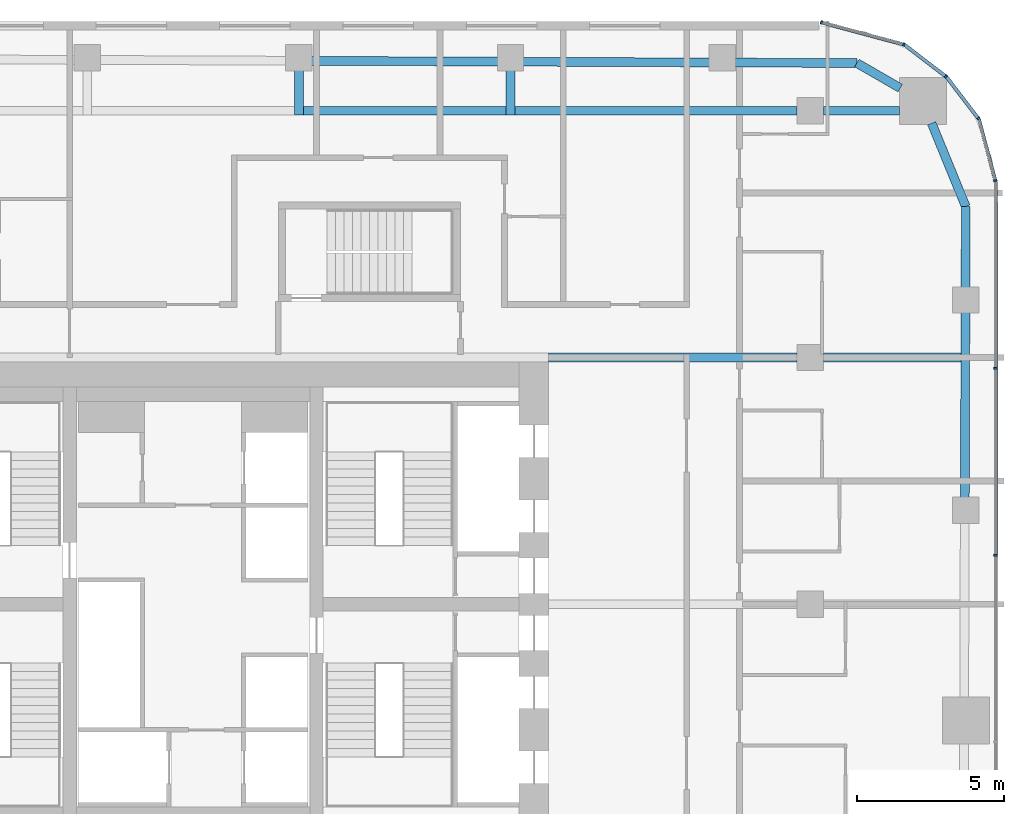
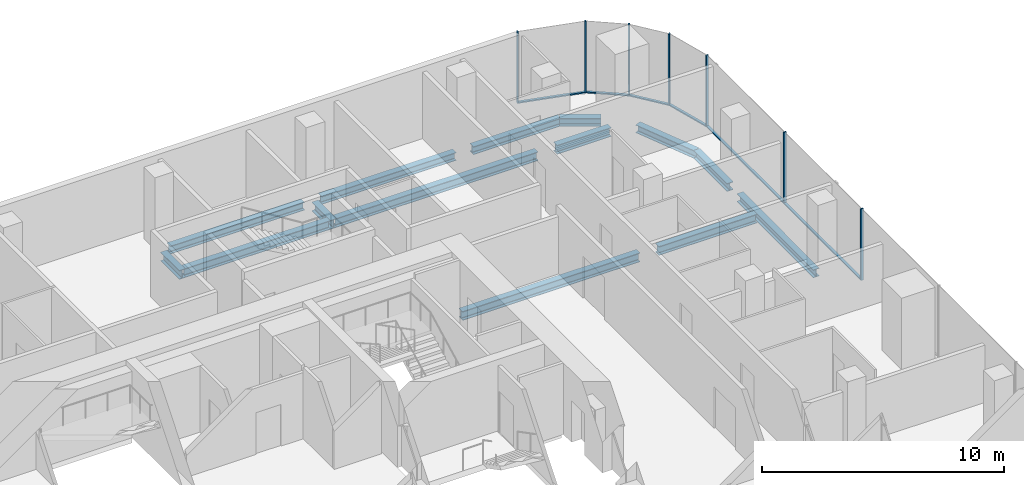
# One storey, part 11 of 23: 14 beams, 13 members, 5 elements without a shape of their own.
"""IFC4 building model written with IfcOpenShell, lengths in metres."""

import ifcopenshell
import ifcopenshell.guid

model = None  # the IFC model being written
_history = None  # IfcOwnerHistory: only IFC2X3 demands one
_inside = {}  # id of a spatial element -> (the spatial element, [elements in it])
_under = {}  # id of a project, library or spatial element -> (it, [spatial elements below it])
_declared = {}  # id of a project -> (the project, [libraries it declares])
_typed = {}  # id of a type object -> (the type object, [elements of that type])
_made_of = {}  # id of a material, layer set ... -> (it, [elements and type objects made of it])


def new_model(schema):
    """Start an empty IFC model of exactly this schema.

    Asked for "IFC4X3", IfcOpenShell would pick the latest addendum, in which some entities
    have other attributes; the version numbers below select the first issue.
    IFC2X3 requires an IfcOwnerHistory on every rooted entity: one is made here for all.
    """
    global model, _history
    if schema == "IFC4X3":
        model = ifcopenshell.file(schema_version=(4, 3, 0, 0))
    else:
        model = ifcopenshell.file(schema=schema)
    _inside.clear()
    _under.clear()
    _declared.clear()
    _typed.clear()
    _made_of.clear()
    _history = None
    if model.schema == "IFC2X3":
        org = make("IfcOrganization", Name="unknown")
        user = make(
            "IfcPersonAndOrganization",
            ThePerson=make("IfcPerson", FamilyName="unknown"),
            TheOrganization=org,
        )
        app = make(
            "IfcApplication",
            ApplicationDeveloper=org,
            Version="unknown",
            ApplicationFullName="unknown",
            ApplicationIdentifier="unknown",
        )
        _history = make(
            "IfcOwnerHistory",
            OwningUser=user,
            OwningApplication=app,
            ChangeAction="ADDED",
            CreationDate=0,
        )
    return model


def make(cls, **values):
    """One entity of the class cls with the attributes given. An attribute that is None is left unset."""
    return model.create_entity(
        cls, **{name: value for name, value in values.items() if value is not None}
    )


def rooted(cls, **values):
    """An entity with a GlobalId (a new one), such as an element, a storey or a relation."""
    return make(cls, GlobalId=ifcopenshell.guid.new(), OwnerHistory=_history, **values)


def si_unit(unit_type, name, prefix=None):
    """IfcSIUnit, for example si_unit("LENGTHUNIT", "METRE", prefix="MILLI")."""
    return make("IfcSIUnit", UnitType=unit_type, Prefix=prefix, Name=name)


def assignment(units):
    """IfcUnitAssignment: the units of a project."""
    return None if units is None else make("IfcUnitAssignment", Units=units)


def point(xyz):
    """IfcCartesianPoint."""
    return None if xyz is None else make("IfcCartesianPoint", Coordinates=xyz)


def direction(xyz):
    """IfcDirection."""
    return None if xyz is None else make("IfcDirection", DirectionRatios=xyz)


def frame(location, z_axis=None, x_axis=None):
    """IfcAxis2Placement3D, a coordinate frame: its origin and axes. An axis left out is left unset."""
    return make(
        "IfcAxis2Placement3D",
        Location=point(location),
        Axis=direction(z_axis),
        RefDirection=direction(x_axis),
    )


def frame_2d(location, x_axis=None):
    """IfcAxis2Placement2D, a coordinate frame in the plane: its origin and x axis."""
    return make(
        "IfcAxis2Placement2D", Location=point(location), RefDirection=direction(x_axis)
    )


def origin():
    """The frame at (0, 0, 0) with its axes left unset."""
    return frame((0.0, 0.0, 0.0))


def origin_2d():
    """The frame at (0, 0) in the plane with its x axis left unset."""
    return frame_2d((0.0, 0.0))


def place(relative_to, where):
    """IfcLocalPlacement: puts the frame where relative to a parent placement (None: the world)."""
    return make(
        "IfcLocalPlacement", PlacementRelTo=relative_to, RelativePlacement=where
    )


def context(
    kind, dimensions, precision=None, world=None, true_north=None, identifier=None
):
    """IfcGeometricRepresentationContext, for example the 3D "Model" context."""
    return make(
        "IfcGeometricRepresentationContext",
        ContextIdentifier=identifier,
        ContextType=kind,
        CoordinateSpaceDimension=dimensions,
        Precision=precision,
        WorldCoordinateSystem=world,
        TrueNorth=true_north,
    )


def subcontext(parent, identifier, kind, view, scale=None):
    """IfcGeometricRepresentationSubContext, for example "Body" below "Model"."""
    return make(
        "IfcGeometricRepresentationSubContext",
        ContextIdentifier=identifier,
        ContextType=kind,
        ParentContext=parent,
        TargetScale=scale,
        TargetView=view,
    )


def project(units=None, contexts=None):
    """IfcProject with its units and contexts."""
    return rooted(
        "IfcProject",
        Name="project",
        RepresentationContexts=contexts,
        UnitsInContext=assignment(units),
    )


def spatial(cls, under=None, at=None, **own):
    """A site, building, storey or space (cls), placed at a placement, below another one or the project."""
    s = rooted(cls, ObjectPlacement=at, **own)
    if under is not None:
        _under.setdefault(under.id(), (under, []))[1].append(s)
    return s


def profile(cls, at=None, kind="AREA", **sizes):
    """A parametric profile (cls). Its sizes go by their IFC names, for example OverallWidth=200.0."""
    return make(cls, ProfileType=kind, Position=at, **sizes)


def rectangle(**sizes):
    """IfcRectangleProfileDef."""
    return profile("IfcRectangleProfileDef", **sizes)


def i_section(**sizes):
    """IfcIShapeProfileDef."""
    return profile("IfcIShapeProfileDef", **sizes)


def extrude(swept, where, along, depth):
    """IfcExtrudedAreaSolid: the profile swept, set in the frame where, extruded along a direction by depth."""
    return make(
        "IfcExtrudedAreaSolid",
        SweptArea=swept,
        Position=where,
        ExtrudedDirection=direction(along),
        Depth=depth,
    )


def shape(context_of_items, identifier, shape_type, items):
    """IfcShapeRepresentation: the items that make up one representation, for example the "Body"."""
    return make(
        "IfcShapeRepresentation",
        ContextOfItems=context_of_items,
        RepresentationIdentifier=identifier,
        RepresentationType=shape_type,
        Items=items,
    )


def material(Name=None, Category=None):
    """IfcMaterial."""
    return make("IfcMaterial", Name=Name, Category=Category)


def layer(
    of_material, thickness, ventilated=None, Name=None, Category=None, Priority=None
):
    """IfcMaterialLayer: one layer of a wall or slab, of a material (None: an air gap)."""
    return make(
        "IfcMaterialLayer",
        Material=of_material,
        LayerThickness=thickness,
        IsVentilated=ventilated,
        Name=Name,
        Category=Category,
        Priority=Priority,
    )


def layer_set(layers, Name=None):
    """IfcMaterialLayerSet."""
    return make("IfcMaterialLayerSet", MaterialLayers=layers, LayerSetName=Name)


def material_profile(
    of_material, cross_section, Name=None, Category=None, Priority=None
):
    """IfcMaterialProfile: a cross section and its material."""
    return make(
        "IfcMaterialProfile",
        Name=Name,
        Material=of_material,
        Profile=cross_section,
        Priority=Priority,
        Category=Category,
    )


def profile_set(profiles, Name=None, composite=None):
    """IfcMaterialProfileSet."""
    return make(
        "IfcMaterialProfileSet",
        Name=Name,
        MaterialProfiles=profiles,
        CompositeProfile=composite,
    )


def made_of(thing, what):
    """Note that an element or type object is made of a material, layer set ...; save() writes the relation."""
    if what is not None:
        _made_of.setdefault(what.id(), (what, []))[1].append(thing)
    return thing


def type_object(cls, material=None, **own):
    """A type object (cls), such as IfcWallType, which elements share."""
    return made_of(rooted(cls, **own), material)


def element(
    cls,
    number,
    at=None,
    inside=None,
    cuts=None,
    type_object=None,
    material=None,
    context=None,
    identifier="Body",
    shape_type=None,
    held_by="IfcProductDefinitionShape",
    body=None,
    shapes=None,
    **own,
):
    """One element of the class cls, such as IfcWall. Its Tag is "e" and its number.

    at: its placement. inside: the storey or other place that contains it. cuts: it is an
    opening in that element (IfcRelVoidsElement). A single representation is given by context,
    identifier, shape_type and body (its items); several are given by shapes. held_by: the class
    of the entity that holds the representations. save() writes the other relations.
    """
    e = rooted(cls, Tag="e%d" % number, ObjectPlacement=at, **own)
    if body is not None:
        shapes = [shape(context, identifier, shape_type, body)]
    if shapes is not None:
        e.Representation = make(held_by, Representations=shapes)
    if inside is not None:
        _inside.setdefault(inside.id(), (inside, []))[1].append(e)
    if cuts is not None:
        rooted(
            "IfcRelVoidsElement", RelatingBuildingElement=cuts, RelatedOpeningElement=e
        )
    if type_object is not None:
        _typed.setdefault(type_object.id(), (type_object, []))[1].append(e)
    return made_of(e, material)


def aggregate(whole, parts):
    """IfcRelAggregates: a whole, such as a stair, and the parts it consists of."""
    return rooted("IfcRelAggregates", RelatingObject=whole, RelatedObjects=parts)


def save(model, path):
    """Write the relations noted so far, then the file.

    IfcRelAggregates (storeys below a building ...), IfcRelContainedInSpatialStructure (elements
    in a storey), IfcRelDefinesByType, IfcRelAssociatesMaterial and IfcRelDeclares: one each for
    every whole, place, type object, material and project.
    """
    for whole, parts in _under.values():
        aggregate(whole, parts)
    for where, things in _inside.values():
        rooted(
            "IfcRelContainedInSpatialStructure",
            RelatedElements=things,
            RelatingStructure=where,
        )
    for kind, things in _typed.values():
        rooted("IfcRelDefinesByType", RelatedObjects=things, RelatingType=kind)
    for what, things in _made_of.values():
        rooted("IfcRelAssociatesMaterial", RelatedObjects=things, RelatingMaterial=what)
    for by, libraries in _declared.values():
        rooted("IfcRelDeclares", RelatingContext=by, RelatedDefinitions=libraries)
    model.write(path)


model = new_model("IFC4")

# Units and contexts
model_context = context("Model", 3, precision=1e-05, world=origin(), true_north=direction((0.0, 1.0)))
body_context = subcontext(model_context, "Body", "Model", "MODEL_VIEW")
ifc_project = project(units=[si_unit("LENGTHUNIT", "METRE"), si_unit("AREAUNIT", "SQUARE_METRE"), si_unit("VOLUMEUNIT", "CUBIC_METRE"), si_unit("PLANEANGLEUNIT", "RADIAN"), si_unit("MASSUNIT", "GRAM", prefix="KILO")], contexts=[model_context])

# Site, building, storey
site_placement = place(None, origin())
site = spatial("IfcSite", under=ifc_project, at=site_placement, CompositionType="ELEMENT")
building_placement = place(site_placement, origin())
building = spatial("IfcBuilding", under=site, at=building_placement, Name="Marenta Gate Hotel Tower", CompositionType="ELEMENT")
storey_placement = place(building_placement, frame((0.0, 0.0, 126.5)))
storey = spatial("IfcBuildingStorey", under=building, at=storey_placement, Name="L28", CompositionType="ELEMENT", Elevation=126.5)

# Beams
ifc_material_1 = material(Name="Steel S355", Category="steel")
ifc_material_profile_1 = material_profile(ifc_material_1, i_section(OverallWidth=0.300048828125, OverallDepth=0.39990234375, WebThickness=0.013427734375, FlangeThickness=0.02392578125, FilletRadius=0.027099609375, at=origin_2d()), Name="HEB 400")
ifc_profile_set_1 = profile_set([ifc_material_profile_1], Name="Steel S355")
beam_type_1 = type_object("IfcBeamType", Name="Edge beam HEB 400", PredefinedType="SPANDREL", material=ifc_profile_set_1)
beam_1_placement = place(storey_placement, frame((4.011474609375, 26.89697265625, -0.4599609375), z_axis=(0.999991780119, -0.004054589324, 0.0), x_axis=(0.004054589324, 0.999991780119, 0.0)))
element("IfcBeam", 1, at=beam_1_placement, inside=storey, type_object=beam_type_1, Name="L28-EB-17", PredefinedType="SPANDREL", context=body_context, shape_type="SweptSolid", body=[
    extrude(i_section(OverallWidth=0.300048828125, OverallDepth=0.39990234375, WebThickness=0.013427734375, FlangeThickness=0.02392578125, FilletRadius=0.027099609375, at=origin_2d()), origin(), (0.0, 0.0, 1.0), 6.382568359375),
])
beam_2_placement = place(storey_placement, frame((11.214111328125, 26.86767578125, -0.4599609375), z_axis=(0.999991780748, -0.00405443424, 0.0), x_axis=(0.00405443424, 0.999991780748, 0.0)))
element("IfcBeam", 2, at=beam_2_placement, inside=storey, type_object=beam_type_1, Name="L28-EB-18", PredefinedType="SPANDREL", context=body_context, shape_type="SweptSolid", body=[
    extrude(i_section(OverallWidth=0.300048828125, OverallDepth=0.39990234375, WebThickness=0.013427734375, FlangeThickness=0.02392578125, FilletRadius=0.027099609375, at=origin_2d()), origin(), (0.0, 0.0, 1.0), 6.3828125),
])
beam_3_placement = place(storey_placement, frame((18.4169921875, 26.83837890625, -0.4599609375), z_axis=(0.999991621459, -0.004093532953, 0.0), x_axis=(0.004093532953, 0.999991621459, 0.0)))
element("IfcBeam", 3, at=beam_3_placement, inside=storey, type_object=beam_type_1, Name="L28-EB-19", PredefinedType="SPANDREL", context=body_context, shape_type="SweptSolid", body=[
    extrude(i_section(OverallWidth=0.300048828125, OverallDepth=0.39990234375, WebThickness=0.013427734375, FlangeThickness=0.02392578125, FilletRadius=0.027099609375, at=origin_2d()), origin(), (0.0, 0.0, 1.0), 4.1748046875),
])
beam_4_placement = place(storey_placement, frame((22.591796875, 26.8212890625, -0.4599609375), z_axis=(0.866016478054, -0.500015459501, 0.0), x_axis=(0.500015459501, 0.866016478054, 0.0)))
element("IfcBeam", 4, at=beam_4_placement, inside=storey, type_object=beam_type_1, Name="L28-EB-20", PredefinedType="SPANDREL", context=body_context, shape_type="SweptSolid", body=[
    extrude(i_section(OverallWidth=0.300048828125, OverallDepth=0.39990234375, WebThickness=0.013427734375, FlangeThickness=0.02392578125, FilletRadius=0.027099609375, at=origin_2d()), origin(), (0.0, 0.0, 1.0), 1.70703125),
])
beam_5_placement = place(storey_placement, frame((25.138916015625, 24.7724609375, -0.4599609375), z_axis=(0.378682450416, -0.925526661824, 0.0), x_axis=(0.925526661824, 0.378682450416, 0.0)))
element("IfcBeam", 5, at=beam_5_placement, inside=storey, type_object=beam_type_1, Name="L28-EB-21", PredefinedType="SPANDREL", context=body_context, shape_type="SweptSolid", body=[
    extrude(i_section(OverallWidth=0.300048828125, OverallDepth=0.39990234375, WebThickness=0.013427734375, FlangeThickness=0.02392578125, FilletRadius=0.027099609375, at=origin_2d()), origin(), (0.0, 0.0, 1.0), 3.066162109375),
])
beam_6_placement = place(storey_placement, frame((26.300048828125, 21.9345703125, -0.4599609375), z_axis=(-0.003351542298, -0.999994383566, 0.0), x_axis=(0.999994383566, -0.003351542298, 0.0)))
element("IfcBeam", 6, at=beam_6_placement, inside=storey, type_object=beam_type_1, Name="L28-EB-22", PredefinedType="SPANDREL", context=body_context, shape_type="SweptSolid", body=[
    extrude(i_section(OverallWidth=0.300048828125, OverallDepth=0.39990234375, WebThickness=0.013427734375, FlangeThickness=0.02392578125, FilletRadius=0.027099609375, at=origin_2d()), origin(), (0.0, 0.0, 1.0), 2.76806640625),
])
beam_7_placement = place(storey_placement, frame((26.2880859375, 18.346435546875, -0.4599609375), z_axis=(-0.00335374545, -0.99999437618, 0.0), x_axis=(0.99999437618, -0.00335374545, 0.0)))
element("IfcBeam", 7, at=beam_7_placement, inside=storey, type_object=beam_type_1, Name="L28-EB-23", PredefinedType="SPANDREL", context=body_context, shape_type="SweptSolid", body=[
    extrude(i_section(OverallWidth=0.300048828125, OverallDepth=0.39990234375, WebThickness=0.013427734375, FlangeThickness=0.02392578125, FilletRadius=0.027099609375, at=origin_2d()), origin(), (0.0, 0.0, 1.0), 6.333251953125),
])
ifc_material_2 = material(Name="Steel S355", Category="steel")
ifc_material_profile_2 = material_profile(ifc_material_2, i_section(OverallWidth=0.300048828125, OverallDepth=0.449951171875, WebThickness=0.013916015625, FlangeThickness=0.02587890625, FilletRadius=0.027099609375, at=origin_2d()), Name="HEB 450")
ifc_profile_set_2 = profile_set([ifc_material_profile_2], Name="Steel S355")
beam_type_2 = type_object("IfcBeamType", Name="Girder HEB 450", PredefinedType="BEAM", material=ifc_profile_set_2)
beam_8_placement = place(storey_placement, frame((12.10009765625, 16.800048828125, -0.485107421875), z_axis=(1.0, 0.0, 0.0), x_axis=(0.0, 1.0, 0.0)))
element("IfcBeam", 8, at=beam_8_placement, inside=storey, type_object=beam_type_2, Name="L28-GD-27", PredefinedType="BEAM", context=body_context, shape_type="SweptSolid", body=[
    extrude(i_section(OverallWidth=0.300048828125, OverallDepth=0.449951171875, WebThickness=0.013916015625, FlangeThickness=0.02587890625, FilletRadius=0.027099609375, at=origin_2d()), origin(), (0.0, 0.0, 1.0), 8.449951171875),
])
beam_9_placement = place(storey_placement, frame((21.449951171875, 16.800048828125, -0.485107421875), z_axis=(1.0, 0.0, 0.0), x_axis=(0.0, 1.0, 0.0)))
element("IfcBeam", 9, at=beam_9_placement, inside=storey, type_object=beam_type_2, Name="L28-GD-28", PredefinedType="BEAM", context=body_context, shape_type="SweptSolid", body=[
    extrude(i_section(OverallWidth=0.300048828125, OverallDepth=0.449951171875, WebThickness=0.013916015625, FlangeThickness=0.02587890625, FilletRadius=0.027099609375, at=origin_2d()), origin(), (0.0, 0.0, 1.0), 4.682861328125),
])
beam_10_placement = place(storey_placement, frame((3.75146484375, 25.199951171875, -0.485107421875), z_axis=(1.0, 0.0, 0.0), x_axis=(0.0, 1.0, 0.0)))
element("IfcBeam", 10, at=beam_10_placement, inside=storey, type_object=beam_type_2, Name="L28-GD-33", PredefinedType="BEAM", context=body_context, shape_type="SweptSolid", body=[
    extrude(i_section(OverallWidth=0.300048828125, OverallDepth=0.449951171875, WebThickness=0.013916015625, FlangeThickness=0.02587890625, FilletRadius=0.027099609375, at=origin_2d()), origin(), (0.0, 0.0, 1.0), 6.902587890625),
])
beam_11_placement = place(storey_placement, frame((10.9541015625, 25.199951171875, -0.485107421875), z_axis=(1.0, 0.0, 0.0), x_axis=(0.0, 1.0, 0.0)))
element("IfcBeam", 11, at=beam_11_placement, inside=storey, type_object=beam_type_2, Name="L28-GD-34", PredefinedType="BEAM", context=body_context, shape_type="SweptSolid", body=[
    extrude(i_section(OverallWidth=0.300048828125, OverallDepth=0.449951171875, WebThickness=0.013916015625, FlangeThickness=0.02587890625, FilletRadius=0.027099609375, at=origin_2d()), origin(), (0.0, 0.0, 1.0), 9.595947265625),
])
beam_12_placement = place(storey_placement, frame((21.449951171875, 25.199951171875, -0.485107421875), z_axis=(1.0, 0.0, 0.0), x_axis=(0.0, 1.0, 0.0)))
element("IfcBeam", 12, at=beam_12_placement, inside=storey, type_object=beam_type_2, Name="L28-GD-35", PredefinedType="BEAM", context=body_context, shape_type="SweptSolid", body=[
    extrude(i_section(OverallWidth=0.300048828125, OverallDepth=0.449951171875, WebThickness=0.013916015625, FlangeThickness=0.02587890625, FilletRadius=0.027099609375, at=origin_2d()), origin(), (0.0, 0.0, 1.0), 2.58544921875),
])
ifc_material_3 = material(Name="Steel S355", Category="steel")
ifc_material_profile_3 = material_profile(ifc_material_3, i_section(OverallWidth=0.300048828125, OverallDepth=0.449951171875, WebThickness=0.013916015625, FlangeThickness=0.02587890625, FilletRadius=0.027099609375, at=origin_2d()), Name="HEB 450")
ifc_profile_set_3 = profile_set([ifc_material_profile_3], Name="Steel S355")
beam_type_3 = type_object("IfcBeamType", Name="Girder bracket HEB 450", PredefinedType="BEAM", material=ifc_profile_set_3)
for number, where, z_axis, x_axis, name in (
    (13, (3.601318359375, 25.050048828125, -0.485107421875), (0.0, 1.0, 0.0), (-1.0, 0.0, 0.0), "L28-GS-3"),
    (14, (10.80419921875, 25.050048828125, -0.485107421875), (0.0, 1.0, 0.0), (-1.0, 0.0, 0.0), "L28-GS-4"),
):
    element("IfcBeam", number, at=place(storey_placement, frame(where, z_axis=z_axis, x_axis=x_axis)), inside=storey, type_object=beam_type_3, Name=name, PredefinedType="BEAM", context=body_context, shape_type="SweptSolid", body=[
        extrude(i_section(OverallWidth=0.300048828125, OverallDepth=0.449951171875, WebThickness=0.013916015625, FlangeThickness=0.02587890625, FilletRadius=0.027099609375, at=origin_2d()), origin(), (0.0, 0.0, 1.0), 1.5400390625),
    ])

# Curtain wall, members
ifc_material_4 = material(Name="Tinted insulated glass in bronze anodised frame", Category="glass")
ifc_layer = layer(ifc_material_4, 0.1201171875)
ifc_layer_set = layer_set([ifc_layer], Name="Tinted insulated glass in bronze anodised frame")
curtain_wall_type = type_object("IfcCurtainWallType", Name="Tower unitised curtain wall CW1", PredefinedType="NOTDEFINED", material=ifc_layer_set)
curtain_wall_1_placement = place(storey_placement, origin())
curtain_wall_1 = element("IfcCurtainWall", 15, at=curtain_wall_1_placement, inside=storey, type_object=curtain_wall_type, Name="CW1 run G11", PredefinedType="NOTDEFINED")
ifc_material_5 = material(Name="Bronze anodised aluminium", Category="aluminium")
ifc_material_profile_4 = material_profile(ifc_material_5, rectangle(XDim=0.1201171875, YDim=0.06005859375, at=origin_2d()), Name="Mullion CW1 60x120 bronze anodised aluminium")
ifc_profile_set_4 = profile_set([ifc_material_profile_4], Name="Bronze anodised aluminium")
member_type_1 = type_object("IfcMemberType", Name="Mullion CW1 60x120 bronze anodised aluminium", PredefinedType="MULLION", material=ifc_profile_set_4)
member_1_placement = place(storey_placement, frame((27.31396484375, 10.072021484375, 0.0), z_axis=(0.0, 0.0, 1.0), x_axis=(-1.0, 0.0, 0.0)))
member_1 = element("IfcMember", 16, at=member_1_placement, type_object=member_type_1, Name="CW1 mullion 5", PredefinedType="MULLION", context=body_context, shape_type="SweptSolid", body=[
    extrude(rectangle(XDim=0.1201171875, YDim=0.06005859375, at=origin_2d()), origin(), (0.0, 0.0, 1.0), 3.60009765625),
])
member_2_placement = place(storey_placement, frame((27.31396484375, 16.431884765625, 0.0), z_axis=(0.0, 0.0, 1.0), x_axis=(-1.0, 0.0, 0.0)))
member_2 = element("IfcMember", 17, at=member_2_placement, type_object=member_type_1, Name="CW1 mullion 6", PredefinedType="MULLION", context=body_context, shape_type="SweptSolid", body=[
    extrude(rectangle(XDim=0.1201171875, YDim=0.06005859375, at=origin_2d()), origin(), (0.0, 0.0, 1.0), 3.60009765625),
])

# Curtain wall, member
curtain_wall_2_placement = place(storey_placement, origin())
curtain_wall_2 = element("IfcCurtainWall", 18, at=curtain_wall_2_placement, inside=storey, type_object=curtain_wall_type, Name="CW1 run G12", PredefinedType="NOTDEFINED")
member_3_placement = place(storey_placement, frame((27.30615234375, 22.82080078125, 0.0), z_axis=(0.0, 0.0, 1.0), x_axis=(-0.965924859908, -0.258822651658, 0.0)))
member_3 = element("IfcMember", 19, at=member_3_placement, type_object=member_type_1, Name="CW1 mullion 1", PredefinedType="MULLION", context=body_context, shape_type="SweptSolid", body=[
    extrude(rectangle(XDim=0.1201171875, YDim=0.06005859375, at=origin_2d()), origin(), (0.0, 0.0, 1.0), 3.60009765625),
])

curtain_wall_3_placement = place(storey_placement, origin())
curtain_wall_3 = element("IfcCurtainWall", 20, at=curtain_wall_3_placement, inside=storey, type_object=curtain_wall_type, Name="CW1 run G13", PredefinedType="NOTDEFINED")
member_4_placement = place(storey_placement, frame((26.727783203125, 24.93505859375, 0.0), z_axis=(0.0, 0.0, 1.0), x_axis=(-0.793326722289, -0.608796116694, 0.0)))
member_4 = element("IfcMember", 21, at=member_4_placement, type_object=member_type_1, Name="CW1 mullion 1", PredefinedType="MULLION", context=body_context, shape_type="SweptSolid", body=[
    extrude(rectangle(XDim=0.1201171875, YDim=0.06005859375, at=origin_2d()), origin(), (0.0, 0.0, 1.0), 3.60009765625),
])

curtain_wall_4_placement = place(storey_placement, origin())
curtain_wall_4 = element("IfcCurtainWall", 22, at=curtain_wall_4_placement, inside=storey, type_object=curtain_wall_type, Name="CW1 run G14", PredefinedType="NOTDEFINED")
member_5_placement = place(storey_placement, frame((25.62158203125, 26.36376953125, 0.0), z_axis=(0.0, 0.0, 1.0), x_axis=(-0.608796116694, -0.793326722289, 0.0)))
member_5 = element("IfcMember", 23, at=member_5_placement, type_object=member_type_1, Name="CW1 mullion 1", PredefinedType="MULLION", context=body_context, shape_type="SweptSolid", body=[
    extrude(rectangle(XDim=0.1201171875, YDim=0.06005859375, at=origin_2d()), origin(), (0.0, 0.0, 1.0), 3.60009765625),
])

# Curtain wall, members
curtain_wall_5_placement = place(storey_placement, origin())
curtain_wall_5 = element("IfcCurtainWall", 24, at=curtain_wall_5_placement, inside=storey, type_object=curtain_wall_type, Name="CW1 run G15", PredefinedType="NOTDEFINED")
member_6_placement = place(storey_placement, frame((24.182373046875, 27.453857421875, 0.0), z_axis=(0.0, 0.0, 1.0), x_axis=(-0.258805989975, -0.965929324305, 0.0)))
member_6 = element("IfcMember", 25, at=member_6_placement, type_object=member_type_1, Name="CW1 mullion 1", PredefinedType="MULLION", context=body_context, shape_type="SweptSolid", body=[
    extrude(rectangle(XDim=0.1201171875, YDim=0.06005859375, at=origin_2d()), origin(), (0.0, 0.0, 1.0), 3.60009765625),
])
member_7_placement = place(storey_placement, frame((21.385498046875, 28.203125, 0.0), z_axis=(0.0, 0.0, 1.0), x_axis=(-0.258805989975, -0.965929324305, 0.0)))
member_7 = element("IfcMember", 26, at=member_7_placement, type_object=member_type_1, Name="CW1 mullion 2", PredefinedType="MULLION", context=body_context, shape_type="SweptSolid", body=[
    extrude(rectangle(XDim=0.1201171875, YDim=0.06005859375, at=origin_2d()), origin(), (0.0, 0.0, 1.0), 3.60009765625),
])

# Member
ifc_material_6 = material(Name="Bronze anodised aluminium", Category="aluminium")
ifc_material_profile_5 = material_profile(ifc_material_6, rectangle(XDim=0.1201171875, YDim=0.06005859375, at=origin_2d()), Name="Transom CW1 60x120 bronze anodised aluminium")
ifc_profile_set_5 = profile_set([ifc_material_profile_5], Name="Bronze anodised aluminium")
member_type_2 = type_object("IfcMemberType", Name="Transom CW1 60x120 bronze anodised aluminium", PredefinedType="USERDEFINED", material=ifc_profile_set_5)
member_8_placement = place(storey_placement, frame((27.31396484375, 10.10205078125, 0.030029296875), z_axis=(0.0, 1.0, 0.0), x_axis=(-1.0, 0.0, 0.0)))
member_8 = element("IfcMember", 27, at=member_8_placement, type_object=member_type_2, Name="CW1 transom 5.1", ObjectType="TRANSOM", PredefinedType="USERDEFINED", context=body_context, shape_type="SweptSolid", body=[
    extrude(rectangle(XDim=0.1201171875, YDim=0.06005859375, at=origin_2d()), origin(), (0.0, 0.0, 1.0), 6.2998046875),
])

member_9_placement = place(storey_placement, frame((27.31396484375, 16.4619140625, 0.030029296875), z_axis=(0.0, 1.0, 0.0), x_axis=(-1.0, 0.0, 0.0)))
member_9 = element("IfcMember", 28, at=member_9_placement, type_object=member_type_2, Name="CW1 transom 6.1", ObjectType="TRANSOM", PredefinedType="USERDEFINED", context=body_context, shape_type="SweptSolid", body=[
    extrude(rectangle(XDim=0.1201171875, YDim=0.06005859375, at=origin_2d()), origin(), (0.0, 0.0, 1.0), 6.330078125),
])

aggregate(curtain_wall_1, [member_1, member_2, member_8, member_9])

member_10_placement = place(storey_placement, frame((27.298583984375, 22.849853515625, 0.030029296875), z_axis=(-0.258865686882, 0.965913327455, 0.0), x_axis=(-0.965913327455, -0.258865686882, 0.0)))
member_10 = element("IfcMember", 29, at=member_10_placement, type_object=member_type_2, Name="CW1 transom 1.1", ObjectType="TRANSOM", PredefinedType="USERDEFINED", context=body_context, shape_type="SweptSolid", body=[
    extrude(rectangle(XDim=0.1201171875, YDim=0.06005859375, at=origin_2d()), origin(), (0.0, 0.0, 1.0), 2.13427734375),
])

aggregate(curtain_wall_2, [member_3, member_10])

member_11_placement = place(storey_placement, frame((26.70947265625, 24.958984375, 0.030029296875), z_axis=(-0.608792205599, 0.793329723634, 0.0), x_axis=(-0.793329723634, -0.608792205599, 0.0)))
member_11 = element("IfcMember", 30, at=member_11_placement, type_object=member_type_2, Name="CW1 transom 1.1", ObjectType="TRANSOM", PredefinedType="USERDEFINED", context=body_context, shape_type="SweptSolid", body=[
    extrude(rectangle(XDim=0.1201171875, YDim=0.06005859375, at=origin_2d()), origin(), (0.0, 0.0, 1.0), 1.74755859375),
])

aggregate(curtain_wall_3, [member_4, member_11])

member_12_placement = place(storey_placement, frame((25.597900390625, 26.382080078125, 0.030029296875), z_axis=(-0.793381490019, 0.608724741814, 0.0), x_axis=(-0.608724741814, -0.793381490019, 0.0)))
member_12 = element("IfcMember", 31, at=member_12_placement, type_object=member_type_2, Name="CW1 transom 1.1", ObjectType="TRANSOM", PredefinedType="USERDEFINED", context=body_context, shape_type="SweptSolid", body=[
    extrude(rectangle(XDim=0.1201171875, YDim=0.06005859375, at=origin_2d()), origin(), (0.0, 0.0, 1.0), 1.747802734375),
])

aggregate(curtain_wall_4, [member_5, member_12])

member_13_placement = place(storey_placement, frame((24.1533203125, 27.461669921875, 0.030029296875), z_axis=(-0.965922684272, 0.258830770986, 0.0), x_axis=(-0.258830770986, -0.965922684272, 0.0)))
member_13 = element("IfcMember", 32, at=member_13_placement, type_object=member_type_2, Name="CW1 transom 1.1", ObjectType="TRANSOM", PredefinedType="USERDEFINED", context=body_context, shape_type="SweptSolid", body=[
    extrude(rectangle(XDim=0.1201171875, YDim=0.06005859375, at=origin_2d()), origin(), (0.0, 0.0, 1.0), 2.83544921875),
])

aggregate(curtain_wall_5, [member_6, member_7, member_13])

save(model, "model.ifc")
